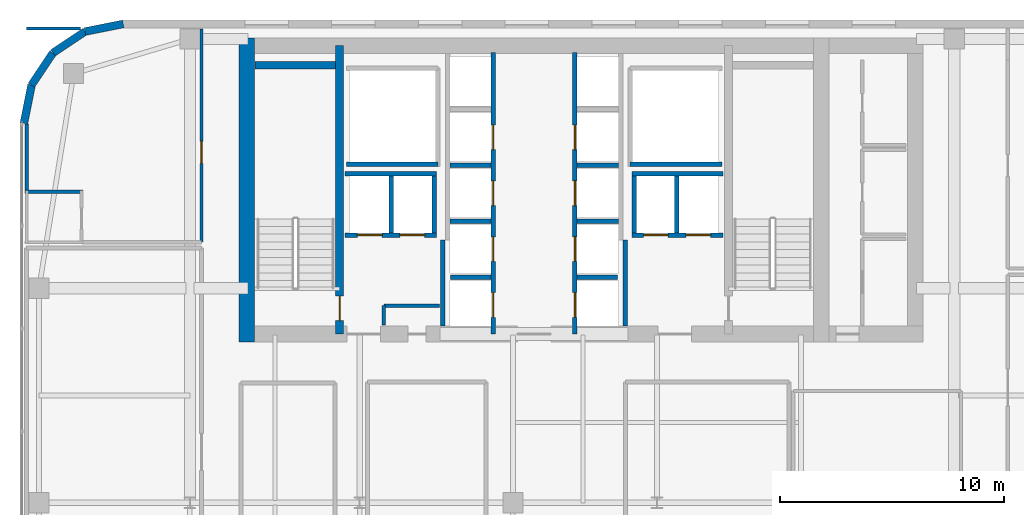
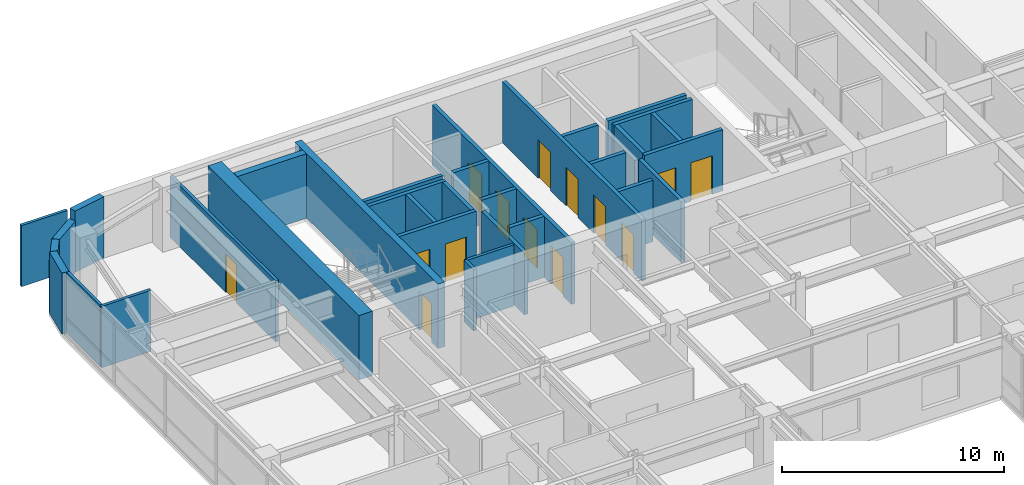
# One storey, part 27 of 30: 33 walls, 14 doors, 14 openings.
"""IFC4 building model written with IfcOpenShell, lengths in metres."""

from ifc_helpers import new_model, si_unit, direction, frame, frame_2d, origin, place, context, subcontext, project, spatial, rectangle, extrude, source, transform, mapped, material, layer, layer_set, type_object, type_shapes, element, fill, save


model = new_model("IFC4")

# Units and contexts
model_context = context("Model", 3, precision=1e-05, world=origin(), true_north=direction((0.0, 1.0)))
body_context = subcontext(model_context, "Body", "Model", "MODEL_VIEW")
ifc_project = project(units=[si_unit("LENGTHUNIT", "METRE"), si_unit("AREAUNIT", "SQUARE_METRE"), si_unit("VOLUMEUNIT", "CUBIC_METRE"), si_unit("PLANEANGLEUNIT", "RADIAN"), si_unit("MASSUNIT", "GRAM", prefix="KILO")], contexts=[model_context])

# Site, building, storey
site_placement = place(None, origin())
site = spatial("IfcSite", under=ifc_project, at=site_placement, CompositionType="ELEMENT")
building_placement = place(site_placement, origin())
building = spatial("IfcBuilding", under=site, at=building_placement, Name="Tolvann Quenvar Hotel", CompositionType="ELEMENT")
storey_placement = place(building_placement, frame((0.0, 0.0, 100.89990234375)))
storey = spatial("IfcBuildingStorey", under=building, at=storey_placement, Name="L25", CompositionType="ELEMENT", Elevation=100.89990234375)

# Wall
ifc_material_1 = material(Name="Concrete S65 (65 MPa)", Category="concrete")
ifc_layer_1 = layer(ifc_material_1, 0.699951171875)
ifc_layer_set_1 = layer_set([ifc_layer_1], Name="Concrete S65 (65 MPa)")
wall_type_1 = type_object("IfcWallType", Name="WALL_CORE_700", PredefinedType="SHEAR", material=ifc_layer_set_1)
wall_1_placement = place(storey_placement, frame((10.14990234375, 31.60009765625, 0.0), z_axis=(0.0, 0.0, 1.0), x_axis=(0.0, 1.0, 0.0)))
element("IfcWall", 1, at=wall_1_placement, inside=storey, type_object=wall_type_1, Name="Rear Core W Shear Wall (L25)", PredefinedType="SHEAR", context=body_context, shape_type="SweptSolid", body=[
    extrude(rectangle(XDim=13.599853515625, YDim=0.699951171875, at=frame_2d((6.7998046875, 0.0))), origin(), (0.0, 0.0, 1.0), 3.550048828125),
])

# Wall, opening, door
ifc_layer_2 = layer(ifc_material_1, 0.35009765625)
ifc_layer_set_2 = layer_set([ifc_layer_2], Name="Concrete S65 (65 MPa)")
wall_type_2 = type_object("IfcWallType", Name="WALL_CORE_INT_350", PredefinedType="SHEAR", material=ifc_layer_set_2)
wall_2_placement = place(storey_placement, frame((14.300048828125, 31.949951171875, 0.0), z_axis=(0.0, 0.0, 1.0), x_axis=(0.0, 1.0, 0.0)))
wall_2 = element("IfcWall", 2, at=wall_2_placement, inside=storey, type_object=wall_type_2, Name="Core Internal Web Shear Wall WEB-W (L25)", PredefinedType="SHEAR", context=body_context, shape_type="SweptSolid", body=[
    extrude(rectangle(XDim=12.900146484375, YDim=0.35009765625, at=frame_2d((6.4501953125, 0.0))), origin(), (0.0, 0.0, 1.0), 3.550048828125),
])
opening_1_placement = place(wall_2_placement, frame((0.60009765625, 0.0, 0.0)))
opening_1 = element("IfcOpeningElement", 3, at=opening_1_placement, cuts=wall_2, Name="Opening FD-120", PredefinedType="OPENING", context=body_context, shape_type="SweptSolid", body=[
    extrude(rectangle(XDim=1.10009765625, YDim=2.1201171875, at=frame_2d((0.550048828125, 1.06005859375))), frame((0.0, 0.18505859375, 0.0), z_axis=(0.0, -1.0, 0.0), x_axis=(1.0, 0.0, 0.0)), (0.0, 0.0, 1.0), 0.3701171875),
])
ifc_material_2 = material(Name="Pressed galvanised steel fire-rated door set", Category="steel")
door_type_1 = type_object("IfcDoorType", Name="DOOR_FIRE_STAIR_1100", OperationType="NOTDEFINED", PredefinedType="DOOR", material=ifc_material_2)
shared_shape_1 = source(origin(), body_context, "Body", "SweptSolid", [
    extrude(rectangle(XDim=1.10009765625, YDim=2.1201171875, at=frame_2d((0.550048828125, 1.06005859375))), frame((0.0, 0.02490234375, 0.0), z_axis=(0.0, -1.0, 0.0), x_axis=(1.0, 0.0, 0.0)), (0.0, 0.0, 1.0), 0.050048828125),
])
type_shapes(door_type_1, [shared_shape_1])
door_1_placement = place(opening_1_placement, origin())
door_1 = element("IfcDoor", 4, at=door_1_placement, inside=storey, type_object=door_type_1, Name="Exit Stair ST-C1 Fire Door (L25)", OperationType="SINGLE_SWING_LEFT", OverallHeight=2.1201171875, OverallWidth=1.10009765625, PredefinedType="DOOR", context=body_context, shape_type="MappedRepresentation", body=[
    mapped(shared_shape_1, transform((0.0, 0.0, 0.0), x_axis=(1.0, 0.0, 0.0), y_axis=(0.0, 1.0, 0.0), z_axis=(0.0, 0.0, 1.0), scale=1.0)),
])
fill(opening_1, door_1)

# Walls
wall_3_placement = place(storey_placement, frame((10.52001953125, 43.97509765625, 0.0), z_axis=(0.0, 0.0, 1.0), x_axis=(1.0, 0.0, 0.0)))
element("IfcWall", 5, at=wall_3_placement, inside=storey, type_object=wall_type_2, Name="Core Stair North Closing Shear Wall STC1-N (L25)", PredefinedType="SHEAR", context=body_context, shape_type="SweptSolid", body=[
    extrude(rectangle(XDim=3.60009765625, YDim=0.35009765625, at=frame_2d((1.800048828125, 0.0))), origin(), (0.0, 0.0, 1.0), 3.550048828125),
])
ifc_material_3 = material(Name="Kiln-fired red and buff architectural clay brickwork and terracotta masonry", Category="masonry")
ifc_layer_3 = layer(ifc_material_3, 0.35009765625)
ifc_layer_set_3 = layer_set([ifc_layer_3], Name="Kiln-fired red and buff architectural clay brickwork and terracotta masonry")
wall_type_3 = type_object("IfcWallType", Name="WALL_EXT_BRICK_350", PredefinedType="SOLIDWALL", material=ifc_layer_set_3)
wall_4_placement = place(storey_placement, frame((4.6171875, 45.824951171875, 0.0), z_axis=(0.0, 0.0, 1.0), x_axis=(-0.980800971659, -0.195011420161, 0.0)))
element("IfcWall", 6, at=wall_4_placement, inside=storey, type_object=wall_type_3, Name="Exterior Chicago Brick Wall L25-E19", PredefinedType="SOLIDWALL", context=body_context, shape_type="SweptSolid", body=[
    extrude(rectangle(XDim=1.74267578125, YDim=0.35009765625, at=frame_2d((0.871337890625, 0.0))), origin(), (0.0, 0.0, 1.0), 3.3701171875),
])
for number, where, z_axis, x_axis, name in (
    (7, (2.907958984375, 45.485107421875, 0.0), (0.0, 0.0, 1.0), (-0.831483840845, -0.55554893791, 0.0), "Exterior Chicago Brick Wall L25-E20"),
    (8, (1.473388671875, 44.526611328125, 0.0), (0.0, 0.0, 1.0), (-0.55554893791, -0.831483840845, 0.0), "Exterior Chicago Brick Wall L25-E21"),
):
    element("IfcWall", number, at=place(storey_placement, frame(where, z_axis=z_axis, x_axis=x_axis)), inside=storey, type_object=wall_type_3, Name=name, PredefinedType="SOLIDWALL", context=body_context, shape_type="SweptSolid", body=[
        extrude(rectangle(XDim=1.725341796875, YDim=0.35009765625, at=frame_2d((0.86279296875, 0.0))), origin(), (0.0, 0.0, 1.0), 2.83203125),
    ])
wall_5_placement = place(storey_placement, frame((0.514892578125, 43.092041015625, 0.0), z_axis=(0.0, 0.0, 1.0), x_axis=(-0.195011420161, -0.980800971659, 0.0)))
element("IfcWall", 9, at=wall_5_placement, inside=storey, type_object=wall_type_3, Name="Exterior Chicago Brick Wall L25-E22", PredefinedType="SOLIDWALL", context=body_context, shape_type="SweptSolid", body=[
    extrude(rectangle(XDim=1.74267578125, YDim=0.35009765625, at=frame_2d((0.871337890625, 0.0))), origin(), (0.0, 0.0, 1.0), 3.3701171875),
])
ifc_material_4 = material(Name="Acoustic twin-stud fire-rated gypsum plasterboard partition")
ifc_layer_4 = layer(ifc_material_4, 0.14990234375)
ifc_layer_set_4 = layer_set([ifc_layer_4], Name="Acoustic twin-stud fire-rated gypsum plasterboard partition")
wall_type_4 = type_object("IfcWallType", Name="WALL_PART_SUITE_150", PredefinedType="PARTITIONING", material=ifc_layer_set_4)
wall_6_placement = place(storey_placement, frame((0.22998046875, 38.31005859375, 0.0), z_axis=(0.0, 0.0, 1.0), x_axis=(1.0, 0.0, 0.0)))
element("IfcWall", 10, at=wall_6_placement, inside=storey, type_object=wall_type_4, Name="Interior Partition PT-SPC-L25-ENS-NW01-N", PredefinedType="PARTITIONING", context=body_context, shape_type="SweptSolid", body=[
    extrude(rectangle(XDim=2.590087890625, YDim=0.14990234375, at=frame_2d((1.294921875, 0.0))), origin(), (0.0, 0.0, 1.0), 3.3701171875),
])
wall_7_placement = place(storey_placement, frame((16.280029296875, 33.219970703125, 0.0), z_axis=(0.0, 0.0, 1.0), x_axis=(1.0, 0.0, 0.0)))
element("IfcWall", 11, at=wall_7_placement, inside=storey, type_object=wall_type_4, Name="Interior Partition PT-SPC-L25-CSW-1-N", PredefinedType="PARTITIONING", context=body_context, shape_type="SweptSolid", body=[
    extrude(rectangle(XDim=2.48486328125, YDim=0.14990234375, at=frame_2d((1.242431640625, 0.0))), origin(), (0.0, 0.0, 1.0), 3.3701171875),
])
wall_8_placement = place(storey_placement, frame((16.280029296875, 32.35498046875, 0.0), z_axis=(0.0, 0.0, 1.0), x_axis=(0.0, 1.0, 0.0)))
element("IfcWall", 12, at=wall_8_placement, inside=storey, type_object=wall_type_4, Name="Interior Partition PT-SPC-L25-CSW-1-W", PredefinedType="PARTITIONING", context=body_context, shape_type="SweptSolid", body=[
    extrude(rectangle(XDim=0.864990234375, YDim=0.14990234375, at=frame_2d((0.4326171875, 0.0))), origin(), (0.0, 0.0, 1.0), 3.3701171875),
])

# Wall, opening, door
wall_9_placement = place(storey_placement, frame((8.1201171875, 36.06005859375, 0.0), z_axis=(0.0, 0.0, 1.0), x_axis=(0.0, 1.0, 0.0)))
wall_9 = element("IfcWall", 13, at=wall_9_placement, inside=storey, type_object=wall_type_4, Name="Interior Partition PT-SPC-L25-RM-NW01-ENT", PredefinedType="PARTITIONING", context=body_context, shape_type="SweptSolid", body=[
    extrude(rectangle(XDim=9.534912109375, YDim=0.14990234375, at=frame_2d((4.767578125, 0.0))), origin(), (0.0, 0.0, 1.0), 3.3701171875),
])
opening_2_placement = place(wall_9_placement, frame((3.530029296875, 0.0, 0.0)))
opening_2 = element("IfcOpeningElement", 14, at=opening_2_placement, cuts=wall_9, Name="Opening SD-01", PredefinedType="OPENING", context=body_context, shape_type="SweptSolid", body=[
    extrude(rectangle(XDim=0.97998046875, YDim=2.1201171875, at=frame_2d((0.489990234375, 1.06005859375))), frame((0.0, 0.0849609375, 0.0), z_axis=(0.0, -1.0, 0.0), x_axis=(1.0, 0.0, 0.0)), (0.0, 0.0, 1.0), 0.169921875),
])
ifc_material_5 = material(Name="Solid-core American oak acoustic fire door leaf in steel frame", Category="steel")
door_type_2 = type_object("IfcDoorType", Name="DOOR_SUITE_980", OperationType="NOTDEFINED", PredefinedType="DOOR", material=ifc_material_5)
shared_shape_2 = source(origin(), body_context, "Body", "SweptSolid", [
    extrude(rectangle(XDim=0.97998046875, YDim=2.1201171875, at=frame_2d((0.489990234375, 1.06005859375))), frame((0.0, 0.02490234375, 0.0), z_axis=(0.0, -1.0, 0.0), x_axis=(1.0, 0.0, 0.0)), (0.0, 0.0, 1.0), 0.050048828125),
])
type_shapes(door_type_2, [shared_shape_2])
door_2_placement = place(opening_2_placement, origin())
door_2 = element("IfcDoor", 15, at=door_2_placement, inside=storey, type_object=door_type_2, Name="Interior Door DOOR-SPC-L25-RM-NW01", OperationType="SINGLE_SWING_RIGHT", OverallHeight=2.1201171875, OverallWidth=0.97998046875, PredefinedType="DOOR", context=body_context, shape_type="MappedRepresentation", body=[
    mapped(shared_shape_2, transform((0.0, 0.0, 0.0), x_axis=(1.0, 0.0, 0.0), y_axis=(0.0, 1.0, 0.0), z_axis=(0.0, 0.0, 1.0), scale=1.0)),
])
fill(opening_2, door_2)

# Walls
wall_10_placement = place(storey_placement, frame((0.300048828125, 45.6201171875, 0.0), z_axis=(0.0, 0.0, 1.0), x_axis=(1.0, 0.0, 0.0)))
element("IfcWall", 16, at=wall_10_placement, inside=storey, type_object=wall_type_4, Name="Interior Partition PT-SPC-L25-RM-NW01-E5", PredefinedType="PARTITIONING", context=body_context, shape_type="SweptSolid", body=[
    extrude(rectangle(XDim=2.39599609375, YDim=0.14990234375, at=frame_2d((1.197998046875, 0.0))), origin(), (0.0, 0.0, 1.0), 3.3701171875),
])
wall_11_placement = place(storey_placement, frame((0.300048828125, 38.330078125, 0.0), z_axis=(0.0, 0.0, 1.0), x_axis=(0.0, 1.0, 0.0)))
element("IfcWall", 17, at=wall_11_placement, inside=storey, type_object=wall_type_4, Name="Interior Partition PT-SPC-L25-RM-NW01-E6", PredefinedType="PARTITIONING", context=body_context, shape_type="SweptSolid", body=[
    extrude(rectangle(XDim=3.02783203125, YDim=0.14990234375, at=frame_2d((1.513916015625, 0.0))), origin(), (0.0, 0.0, 1.0), 3.3701171875),
])
ifc_material_6 = material(Name="Concrete N40 (40 MPa)", Category="concrete")
ifc_layer_5 = layer(ifc_material_6, 0.199951171875)
ifc_layer_set_5 = layer_set([ifc_layer_5], Name="Concrete N40 (40 MPa)")
wall_type_5 = type_object("IfcWallType", Name="WALL_SHAFT_200", PredefinedType="SOLIDWALL", material=ifc_layer_set_5)
for number, where, z_axis, x_axis, name in (
    (18, (14.60009765625, 39.550048828125, 0.0), (0.0, 0.0, 1.0), (1.0, 0.0, 0.0), "Service Riser W Shaft Wall S (L25)"),
    (19, (27.300048828125, 39.550048828125, 0.0), (0.0, 0.0, 1.0), (1.0, 0.0, 0.0), "Service Riser E Shaft Wall S (L25)"),
):
    element("IfcWall", number, at=place(storey_placement, frame(where, z_axis=z_axis, x_axis=x_axis)), inside=storey, type_object=wall_type_5, Name=name, PredefinedType="SOLIDWALL", context=body_context, shape_type="SweptSolid", body=[
        extrude(rectangle(XDim=4.099853515625, YDim=0.199951171875, at=frame_2d((2.0498046875, 0.0))), origin(), (0.0, 0.0, 1.0), 3.3701171875),
    ])
for number, where, z_axis, x_axis, name in (
    (20, (18.919921875, 32.303955078125, 0.0), (0.0, 0.0, 1.0), (0.0, 1.0, 0.0), "Firefighting Lobby W Inner Fire Wall (L25)"),
    (21, (27.080078125, 32.303955078125, 0.0), (0.0, 0.0, 1.0), (0.0, 1.0, 0.0), "Firefighting Lobby E Inner Fire Wall (L25)"),
):
    element("IfcWall", number, at=place(storey_placement, frame(where, z_axis=z_axis, x_axis=x_axis)), inside=storey, type_object=wall_type_5, Name=name, PredefinedType="SOLIDWALL", context=body_context, shape_type="SweptSolid", body=[
        extrude(rectangle(XDim=3.845947265625, YDim=0.199951171875, at=frame_2d((1.9228515625, 0.0))), origin(), (0.0, 0.0, 1.0), 3.3701171875),
    ])

# Wall, openings, doors
wall_12_placement = place(storey_placement, frame((21.169921875, 31.9599609375, 0.0), z_axis=(0.0, 0.0, 1.0), x_axis=(0.0, 1.0, 0.0)))
wall_12 = element("IfcWall", 22, at=wall_12_placement, inside=storey, type_object=wall_type_5, Name="Lift Bank E21.1C1 Hoistway Front Wall (L25)", PredefinedType="SOLIDWALL", context=body_context, shape_type="SweptSolid", body=[
    extrude(rectangle(XDim=12.580078125, YDim=0.199951171875, at=frame_2d((6.2900390625, 0.0))), origin(), (0.0, 0.0, 1.0), 3.3701171875),
])
opening_3_placement = place(wall_12_placement, frame((0.739990234375, 0.0, 0.0)))
opening_3 = element("IfcOpeningElement", 23, at=opening_3_placement, cuts=wall_12, Name="Opening LD-01", PredefinedType="OPENING", context=body_context, shape_type="SweptSolid", body=[
    extrude(rectangle(XDim=1.10009765625, YDim=2.1201171875, at=frame_2d((0.550048828125, 1.06005859375))), frame((0.0, 0.10986328125, 0.0), z_axis=(0.0, -1.0, 0.0), x_axis=(1.0, 0.0, 0.0)), (0.0, 0.0, 1.0), 0.219970703125),
])
opening_4_placement = place(wall_12_placement, frame((3.239990234375, 0.0, 0.0)))
opening_4 = element("IfcOpeningElement", 24, at=opening_4_placement, cuts=wall_12, Name="Opening LD-01", PredefinedType="OPENING", context=body_context, shape_type="SweptSolid", body=[
    extrude(rectangle(XDim=1.10009765625, YDim=2.1201171875, at=frame_2d((0.550048828125, 1.06005859375))), frame((0.0, 0.10986328125, 0.0), z_axis=(0.0, -1.0, 0.0), x_axis=(1.0, 0.0, 0.0)), (0.0, 0.0, 1.0), 0.219970703125),
])
opening_5_placement = place(wall_12_placement, frame((5.739990234375, 0.0, 0.0)))
opening_5 = element("IfcOpeningElement", 25, at=opening_5_placement, cuts=wall_12, Name="Opening LD-01", PredefinedType="OPENING", context=body_context, shape_type="SweptSolid", body=[
    extrude(rectangle(XDim=1.10009765625, YDim=2.1201171875, at=frame_2d((0.550048828125, 1.06005859375))), frame((0.0, 0.10986328125, 0.0), z_axis=(0.0, -1.0, 0.0), x_axis=(1.0, 0.0, 0.0)), (0.0, 0.0, 1.0), 0.219970703125),
])
opening_6_placement = place(wall_12_placement, frame((8.239990234375, 0.0, 0.0)))
opening_6 = element("IfcOpeningElement", 26, at=opening_6_placement, cuts=wall_12, Name="Opening LD-01", PredefinedType="OPENING", context=body_context, shape_type="SweptSolid", body=[
    extrude(rectangle(XDim=1.10009765625, YDim=2.1201171875, at=frame_2d((0.550048828125, 1.06005859375))), frame((0.0, 0.10986328125, 0.0), z_axis=(0.0, -1.0, 0.0), x_axis=(1.0, 0.0, 0.0)), (0.0, 0.0, 1.0), 0.219970703125),
])
ifc_material_7 = material(Name="Brushed 316 stainless steel automatic sliding lift landing door", Category="steel")
door_type_3 = type_object("IfcDoorType", Name="DOOR_LIFT_SLIDE_1100", OperationType="NOTDEFINED", PredefinedType="DOOR", material=ifc_material_7)
shared_shape_3 = source(origin(), body_context, "Body", "SweptSolid", [
    extrude(rectangle(XDim=1.10009765625, YDim=2.1201171875, at=frame_2d((0.550048828125, 1.06005859375))), frame((0.0, 0.02490234375, 0.0), z_axis=(0.0, -1.0, 0.0), x_axis=(1.0, 0.0, 0.0)), (0.0, 0.0, 1.0), 0.050048828125),
])
type_shapes(door_type_3, [shared_shape_3])
door_3_placement = place(opening_3_placement, origin())
door_3 = element("IfcDoor", 27, at=door_3_placement, inside=storey, type_object=door_type_3, Name="Lift PH-1 Sliding Landing Door (L25)", OperationType="SLIDING_TO_LEFT", OverallHeight=2.1201171875, OverallWidth=1.10009765625, PredefinedType="DOOR", context=body_context, shape_type="MappedRepresentation", body=[
    mapped(shared_shape_3, transform((0.0, 0.0, 0.0), x_axis=(1.0, 0.0, 0.0), y_axis=(0.0, 1.0, 0.0), z_axis=(0.0, 0.0, 1.0), scale=1.0)),
])
fill(opening_3, door_3)
door_4_placement = place(opening_4_placement, origin())
door_4 = element("IfcDoor", 28, at=door_4_placement, inside=storey, type_object=door_type_3, Name="Lift PH-2 Sliding Landing Door (L25)", OperationType="SLIDING_TO_RIGHT", OverallHeight=2.1201171875, OverallWidth=1.10009765625, PredefinedType="DOOR", context=body_context, shape_type="MappedRepresentation", body=[
    mapped(shared_shape_3, transform((0.0, 0.0, 0.0), x_axis=(1.0, 0.0, 0.0), y_axis=(0.0, 1.0, 0.0), z_axis=(0.0, 0.0, 1.0), scale=1.0)),
])
fill(opening_4, door_4)
door_5_placement = place(opening_5_placement, origin())
door_5 = element("IfcDoor", 29, at=door_5_placement, inside=storey, type_object=door_type_3, Name="Lift PM-1 Sliding Landing Door (L25)", OperationType="SLIDING_TO_RIGHT", OverallHeight=2.1201171875, OverallWidth=1.10009765625, PredefinedType="DOOR", context=body_context, shape_type="MappedRepresentation", body=[
    mapped(shared_shape_3, transform((0.0, 0.0, 0.0), x_axis=(1.0, 0.0, 0.0), y_axis=(0.0, 1.0, 0.0), z_axis=(0.0, 0.0, 1.0), scale=1.0)),
])
fill(opening_5, door_5)
door_6_placement = place(opening_6_placement, origin())
door_6 = element("IfcDoor", 30, at=door_6_placement, inside=storey, type_object=door_type_3, Name="Lift PM-2 Sliding Landing Door (L25)", OperationType="SLIDING_TO_LEFT", OverallHeight=2.1201171875, OverallWidth=1.10009765625, PredefinedType="DOOR", context=body_context, shape_type="MappedRepresentation", body=[
    mapped(shared_shape_3, transform((0.0, 0.0, 0.0), x_axis=(1.0, 0.0, 0.0), y_axis=(0.0, 1.0, 0.0), z_axis=(0.0, 0.0, 1.0), scale=1.0)),
])
fill(opening_6, door_6)

# Walls
wall_13_placement = place(storey_placement, frame((19.27001953125, 34.5, 0.0), z_axis=(0.0, 0.0, 1.0), x_axis=(1.0, 0.0, 0.0)))
element("IfcWall", 31, at=wall_13_placement, inside=storey, type_object=wall_type_5, Name="Lift Bank E21.1C1 Divider Wall 1 (L25)", PredefinedType="SOLIDWALL", context=body_context, shape_type="SweptSolid", body=[
    extrude(rectangle(XDim=1.800048828125, YDim=0.199951171875, at=frame_2d((0.89990234375, 0.0))), origin(), (0.0, 0.0, 1.0), 3.3701171875),
])
for number, where, z_axis, x_axis, name in (
    (32, (19.22998046875, 37.0, 0.0), (0.0, 0.0, 1.0), (1.0, 0.0, 0.0), "Lift Bank E21.1C1 Divider Wall 2 (L25)"),
    (33, (19.22998046875, 39.5, 0.0), (0.0, 0.0, 1.0), (1.0, 0.0, 0.0), "Lift Bank E21.1C1 Divider Wall 3 (L25)"),
):
    element("IfcWall", number, at=place(storey_placement, frame(where, z_axis=z_axis, x_axis=x_axis)), inside=storey, type_object=wall_type_5, Name=name, PredefinedType="SOLIDWALL", context=body_context, shape_type="SweptSolid", body=[
        extrude(rectangle(XDim=1.840087890625, YDim=0.199951171875, at=frame_2d((0.919921875, 0.0))), origin(), (0.0, 0.0, 1.0), 3.3701171875),
    ])

# Wall, openings, doors
wall_14_placement = place(storey_placement, frame((27.375, 36.3798828125, 0.0), z_axis=(0.0, 0.0, 1.0), x_axis=(1.0, 0.0, 0.0)))
wall_14 = element("IfcWall", 34, at=wall_14_placement, inside=storey, type_object=wall_type_5, Name="Lift Bank SEC1 Hoistway Front Wall (L25)", PredefinedType="SOLIDWALL", context=body_context, shape_type="SweptSolid", body=[
    extrude(rectangle(XDim=4.074951171875, YDim=0.199951171875, at=frame_2d((2.03759765625, 0.0))), origin(), (0.0, 0.0, 1.0), 3.3701171875),
])
opening_7_placement = place(wall_14_placement, frame((0.52490234375, 0.0, 0.0)))
opening_7 = element("IfcOpeningElement", 35, at=opening_7_placement, cuts=wall_14, Name="Opening LD-01", PredefinedType="OPENING", context=body_context, shape_type="SweptSolid", body=[
    extrude(rectangle(XDim=1.10009765625, YDim=2.1201171875, at=frame_2d((0.550048828125, 1.06005859375))), frame((0.0, 0.10986328125, 0.0), z_axis=(0.0, -1.0, 0.0), x_axis=(1.0, 0.0, 0.0)), (0.0, 0.0, 1.0), 0.219970703125),
])
opening_8_placement = place(wall_14_placement, frame((2.425048828125, 0.0, 0.0)))
opening_8 = element("IfcOpeningElement", 36, at=opening_8_placement, cuts=wall_14, Name="Opening LD-01", PredefinedType="OPENING", context=body_context, shape_type="SweptSolid", body=[
    extrude(rectangle(XDim=1.10009765625, YDim=2.1201171875, at=frame_2d((0.550048828125, 1.06005859375))), frame((0.0, 0.10986328125, 0.0), z_axis=(0.0, -1.0, 0.0), x_axis=(1.0, 0.0, 0.0)), (0.0, 0.0, 1.0), 0.219970703125),
])
door_7_placement = place(opening_7_placement, origin())
door_7 = element("IfcDoor", 37, at=door_7_placement, inside=storey, type_object=door_type_3, Name="Lift SV-2 Sliding Landing Door (L25)", OperationType="SLIDING_TO_LEFT", OverallHeight=2.1201171875, OverallWidth=1.10009765625, PredefinedType="DOOR", context=body_context, shape_type="MappedRepresentation", body=[
    mapped(shared_shape_3, transform((0.0, 0.0, 0.0), x_axis=(1.0, 0.0, 0.0), y_axis=(0.0, 1.0, 0.0), z_axis=(0.0, 0.0, 1.0), scale=1.0)),
])
fill(opening_7, door_7)
door_8_placement = place(opening_8_placement, origin())
door_8 = element("IfcDoor", 38, at=door_8_placement, inside=storey, type_object=door_type_3, Name="Lift FF-2 Sliding Landing Door (L25)", OperationType="SLIDING_TO_RIGHT", OverallHeight=2.1201171875, OverallWidth=1.10009765625, PredefinedType="DOOR", context=body_context, shape_type="MappedRepresentation", body=[
    mapped(shared_shape_3, transform((0.0, 0.0, 0.0), x_axis=(1.0, 0.0, 0.0), y_axis=(0.0, 1.0, 0.0), z_axis=(0.0, 0.0, 1.0), scale=1.0)),
])
fill(opening_8, door_8)

# Walls
wall_15_placement = place(storey_placement, frame((27.375, 39.1201171875, 0.0), z_axis=(0.0, 0.0, 1.0), x_axis=(1.0, 0.0, 0.0)))
element("IfcWall", 39, at=wall_15_placement, inside=storey, type_object=wall_type_5, Name="Lift Bank SEC1 Hoistway Rear Wall (L25)", PredefinedType="SOLIDWALL", context=body_context, shape_type="SweptSolid", body=[
    extrude(rectangle(XDim=4.074951171875, YDim=0.199951171875, at=frame_2d((2.03759765625, 0.0))), origin(), (0.0, 0.0, 1.0), 3.3701171875),
])
for number, where, z_axis, x_axis, name in (
    (40, (27.47509765625, 36.47998046875, 0.0), (0.0, 0.0, 1.0), (0.0, 1.0, 0.0), "Lift Bank SEC1 Hoistway Cheek Wall 1 (L25)"),
    (41, (29.387451171875, 36.47998046875, 0.0), (0.0, 0.0, 1.0), (0.0, 1.0, 0.0), "Lift Bank SEC1 Divider Wall 1 (L25)"),
):
    element("IfcWall", number, at=place(storey_placement, frame(where, z_axis=z_axis, x_axis=x_axis)), inside=storey, type_object=wall_type_5, Name=name, PredefinedType="SOLIDWALL", context=body_context, shape_type="SweptSolid", body=[
        extrude(rectangle(XDim=2.5400390625, YDim=0.199951171875, at=frame_2d((1.27001953125, 0.0))), origin(), (0.0, 0.0, 1.0), 3.3701171875),
    ])

# Wall, openings, doors
wall_16_placement = place(storey_placement, frame((14.550048828125, 36.3798828125, 0.0), z_axis=(0.0, 0.0, 1.0), x_axis=(1.0, 0.0, 0.0)))
wall_16 = element("IfcWall", 42, at=wall_16_placement, inside=storey, type_object=wall_type_5, Name="Lift Bank SWC1 Hoistway Front Wall (L25)", PredefinedType="SOLIDWALL", context=body_context, shape_type="SweptSolid", body=[
    extrude(rectangle(XDim=4.074951171875, YDim=0.199951171875, at=frame_2d((2.03759765625, 0.0))), origin(), (0.0, 0.0, 1.0), 3.3701171875),
])
opening_9_placement = place(wall_16_placement, frame((0.550048828125, 0.0, 0.0)))
opening_9 = element("IfcOpeningElement", 43, at=opening_9_placement, cuts=wall_16, Name="Opening LD-01", PredefinedType="OPENING", context=body_context, shape_type="SweptSolid", body=[
    extrude(rectangle(XDim=1.10009765625, YDim=2.1201171875, at=frame_2d((0.550048828125, 1.06005859375))), frame((0.0, 0.10986328125, 0.0), z_axis=(0.0, -1.0, 0.0), x_axis=(1.0, 0.0, 0.0)), (0.0, 0.0, 1.0), 0.219970703125),
])
opening_10_placement = place(wall_16_placement, frame((2.449951171875, 0.0, 0.0)))
opening_10 = element("IfcOpeningElement", 44, at=opening_10_placement, cuts=wall_16, Name="Opening LD-01", PredefinedType="OPENING", context=body_context, shape_type="SweptSolid", body=[
    extrude(rectangle(XDim=1.10009765625, YDim=2.1201171875, at=frame_2d((0.550048828125, 1.06005859375))), frame((0.0, 0.10986328125, 0.0), z_axis=(0.0, -1.0, 0.0), x_axis=(1.0, 0.0, 0.0)), (0.0, 0.0, 1.0), 0.219970703125),
])
door_9_placement = place(opening_9_placement, origin())
door_9 = element("IfcDoor", 45, at=door_9_placement, inside=storey, type_object=door_type_3, Name="Lift FF-1 Sliding Landing Door (L25)", OperationType="SLIDING_TO_LEFT", OverallHeight=2.1201171875, OverallWidth=1.10009765625, PredefinedType="DOOR", context=body_context, shape_type="MappedRepresentation", body=[
    mapped(shared_shape_3, transform((0.0, 0.0, 0.0), x_axis=(1.0, 0.0, 0.0), y_axis=(0.0, 1.0, 0.0), z_axis=(0.0, 0.0, 1.0), scale=1.0)),
])
fill(opening_9, door_9)
door_10_placement = place(opening_10_placement, origin())
door_10 = element("IfcDoor", 46, at=door_10_placement, inside=storey, type_object=door_type_3, Name="Lift SV-1 Sliding Landing Door (L25)", OperationType="SLIDING_TO_RIGHT", OverallHeight=2.1201171875, OverallWidth=1.10009765625, PredefinedType="DOOR", context=body_context, shape_type="MappedRepresentation", body=[
    mapped(shared_shape_3, transform((0.0, 0.0, 0.0), x_axis=(1.0, 0.0, 0.0), y_axis=(0.0, 1.0, 0.0), z_axis=(0.0, 0.0, 1.0), scale=1.0)),
])
fill(opening_10, door_10)

# Walls
wall_17_placement = place(storey_placement, frame((14.550048828125, 39.1201171875, 0.0), z_axis=(0.0, 0.0, 1.0), x_axis=(1.0, 0.0, 0.0)))
element("IfcWall", 47, at=wall_17_placement, inside=storey, type_object=wall_type_5, Name="Lift Bank SWC1 Hoistway Rear Wall (L25)", PredefinedType="SOLIDWALL", context=body_context, shape_type="SweptSolid", body=[
    extrude(rectangle(XDim=4.074951171875, YDim=0.199951171875, at=frame_2d((2.03759765625, 0.0))), origin(), (0.0, 0.0, 1.0), 3.3701171875),
])
for number, where, z_axis, x_axis, name in (
    (48, (18.52490234375, 36.47998046875, 0.0), (0.0, 0.0, 1.0), (0.0, 1.0, 0.0), "Lift Bank SWC1 Hoistway Cheek Wall 2 (L25)"),
    (49, (16.612548828125, 36.47998046875, 0.0), (0.0, 0.0, 1.0), (0.0, 1.0, 0.0), "Lift Bank SWC1 Divider Wall 1 (L25)"),
):
    element("IfcWall", number, at=place(storey_placement, frame(where, z_axis=z_axis, x_axis=x_axis)), inside=storey, type_object=wall_type_5, Name=name, PredefinedType="SOLIDWALL", context=body_context, shape_type="SweptSolid", body=[
        extrude(rectangle(XDim=2.5400390625, YDim=0.199951171875, at=frame_2d((1.27001953125, 0.0))), origin(), (0.0, 0.0, 1.0), 3.3701171875),
    ])

# Wall, openings, doors
wall_18_placement = place(storey_placement, frame((24.830078125, 31.9599609375, 0.0), z_axis=(0.0, 0.0, 1.0), x_axis=(0.0, 1.0, 0.0)))
wall_18 = element("IfcWall", 50, at=wall_18_placement, inside=storey, type_object=wall_type_5, Name="Lift Bank W24.9C1 Hoistway Front Wall (L25)", PredefinedType="SOLIDWALL", context=body_context, shape_type="SweptSolid", body=[
    extrude(rectangle(XDim=12.580078125, YDim=0.199951171875, at=frame_2d((6.2900390625, 0.0))), origin(), (0.0, 0.0, 1.0), 3.3701171875),
])
opening_11_placement = place(wall_18_placement, frame((0.739990234375, 0.0, 0.0)))
opening_11 = element("IfcOpeningElement", 51, at=opening_11_placement, cuts=wall_18, Name="Opening LD-01", PredefinedType="OPENING", context=body_context, shape_type="SweptSolid", body=[
    extrude(rectangle(XDim=1.10009765625, YDim=2.1201171875, at=frame_2d((0.550048828125, 1.06005859375))), frame((0.0, 0.10986328125, 0.0), z_axis=(0.0, -1.0, 0.0), x_axis=(1.0, 0.0, 0.0)), (0.0, 0.0, 1.0), 0.219970703125),
])
opening_12_placement = place(wall_18_placement, frame((3.239990234375, 0.0, 0.0)))
opening_12 = element("IfcOpeningElement", 52, at=opening_12_placement, cuts=wall_18, Name="Opening LD-01", PredefinedType="OPENING", context=body_context, shape_type="SweptSolid", body=[
    extrude(rectangle(XDim=1.10009765625, YDim=2.1201171875, at=frame_2d((0.550048828125, 1.06005859375))), frame((0.0, 0.10986328125, 0.0), z_axis=(0.0, -1.0, 0.0), x_axis=(1.0, 0.0, 0.0)), (0.0, 0.0, 1.0), 0.219970703125),
])
opening_13_placement = place(wall_18_placement, frame((5.739990234375, 0.0, 0.0)))
opening_13 = element("IfcOpeningElement", 53, at=opening_13_placement, cuts=wall_18, Name="Opening LD-01", PredefinedType="OPENING", context=body_context, shape_type="SweptSolid", body=[
    extrude(rectangle(XDim=1.10009765625, YDim=2.1201171875, at=frame_2d((0.550048828125, 1.06005859375))), frame((0.0, 0.10986328125, 0.0), z_axis=(0.0, -1.0, 0.0), x_axis=(1.0, 0.0, 0.0)), (0.0, 0.0, 1.0), 0.219970703125),
])
opening_14_placement = place(wall_18_placement, frame((8.239990234375, 0.0, 0.0)))
opening_14 = element("IfcOpeningElement", 54, at=opening_14_placement, cuts=wall_18, Name="Opening LD-01", PredefinedType="OPENING", context=body_context, shape_type="SweptSolid", body=[
    extrude(rectangle(XDim=1.10009765625, YDim=2.1201171875, at=frame_2d((0.550048828125, 1.06005859375))), frame((0.0, 0.10986328125, 0.0), z_axis=(0.0, -1.0, 0.0), x_axis=(1.0, 0.0, 0.0)), (0.0, 0.0, 1.0), 0.219970703125),
])
door_11_placement = place(opening_11_placement, origin())
door_11 = element("IfcDoor", 55, at=door_11_placement, inside=storey, type_object=door_type_3, Name="Lift PH-3 Sliding Landing Door (L25)", OperationType="SLIDING_TO_LEFT", OverallHeight=2.1201171875, OverallWidth=1.10009765625, PredefinedType="DOOR", context=body_context, shape_type="MappedRepresentation", body=[
    mapped(shared_shape_3, transform((0.0, 0.0, 0.0), x_axis=(1.0, 0.0, 0.0), y_axis=(0.0, 1.0, 0.0), z_axis=(0.0, 0.0, 1.0), scale=1.0)),
])
fill(opening_11, door_11)
door_12_placement = place(opening_12_placement, origin())
door_12 = element("IfcDoor", 56, at=door_12_placement, inside=storey, type_object=door_type_3, Name="Lift PH-4 Sliding Landing Door (L25)", OperationType="SLIDING_TO_RIGHT", OverallHeight=2.1201171875, OverallWidth=1.10009765625, PredefinedType="DOOR", context=body_context, shape_type="MappedRepresentation", body=[
    mapped(shared_shape_3, transform((0.0, 0.0, 0.0), x_axis=(1.0, 0.0, 0.0), y_axis=(0.0, 1.0, 0.0), z_axis=(0.0, 0.0, 1.0), scale=1.0)),
])
fill(opening_12, door_12)
door_13_placement = place(opening_13_placement, origin())
door_13 = element("IfcDoor", 57, at=door_13_placement, inside=storey, type_object=door_type_3, Name="Lift PM-3 Sliding Landing Door (L25)", OperationType="SLIDING_TO_RIGHT", OverallHeight=2.1201171875, OverallWidth=1.10009765625, PredefinedType="DOOR", context=body_context, shape_type="MappedRepresentation", body=[
    mapped(shared_shape_3, transform((0.0, 0.0, 0.0), x_axis=(1.0, 0.0, 0.0), y_axis=(0.0, 1.0, 0.0), z_axis=(0.0, 0.0, 1.0), scale=1.0)),
])
fill(opening_13, door_13)
door_14_placement = place(opening_14_placement, origin())
door_14 = element("IfcDoor", 58, at=door_14_placement, inside=storey, type_object=door_type_3, Name="Lift PM-4 Sliding Landing Door (L25)", OperationType="SLIDING_TO_LEFT", OverallHeight=2.1201171875, OverallWidth=1.10009765625, PredefinedType="DOOR", context=body_context, shape_type="MappedRepresentation", body=[
    mapped(shared_shape_3, transform((0.0, 0.0, 0.0), x_axis=(1.0, 0.0, 0.0), y_axis=(0.0, 1.0, 0.0), z_axis=(0.0, 0.0, 1.0), scale=1.0)),
])
fill(opening_14, door_14)

# Walls
wall_19_placement = place(storey_placement, frame((24.929931640625, 34.5, 0.0), z_axis=(0.0, 0.0, 1.0), x_axis=(1.0, 0.0, 0.0)))
element("IfcWall", 59, at=wall_19_placement, inside=storey, type_object=wall_type_5, Name="Lift Bank W24.9C1 Divider Wall 1 (L25)", PredefinedType="SOLIDWALL", context=body_context, shape_type="SweptSolid", body=[
    extrude(rectangle(XDim=1.800048828125, YDim=0.199951171875, at=frame_2d((0.89990234375, 0.0))), origin(), (0.0, 0.0, 1.0), 3.3701171875),
])
for number, where, z_axis, x_axis, name in (
    (60, (24.929931640625, 37.0, 0.0), (0.0, 0.0, 1.0), (1.0, 0.0, 0.0), "Lift Bank W24.9C1 Divider Wall 2 (L25)"),
    (61, (24.929931640625, 39.5, 0.0), (0.0, 0.0, 1.0), (1.0, 0.0, 0.0), "Lift Bank W24.9C1 Divider Wall 3 (L25)"),
):
    element("IfcWall", number, at=place(storey_placement, frame(where, z_axis=z_axis, x_axis=x_axis)), inside=storey, type_object=wall_type_5, Name=name, PredefinedType="SOLIDWALL", context=body_context, shape_type="SweptSolid", body=[
        extrude(rectangle(XDim=1.840087890625, YDim=0.199951171875, at=frame_2d((0.919921875, 0.0))), origin(), (0.0, 0.0, 1.0), 3.3701171875),
    ])

save(model, "model.ifc")
